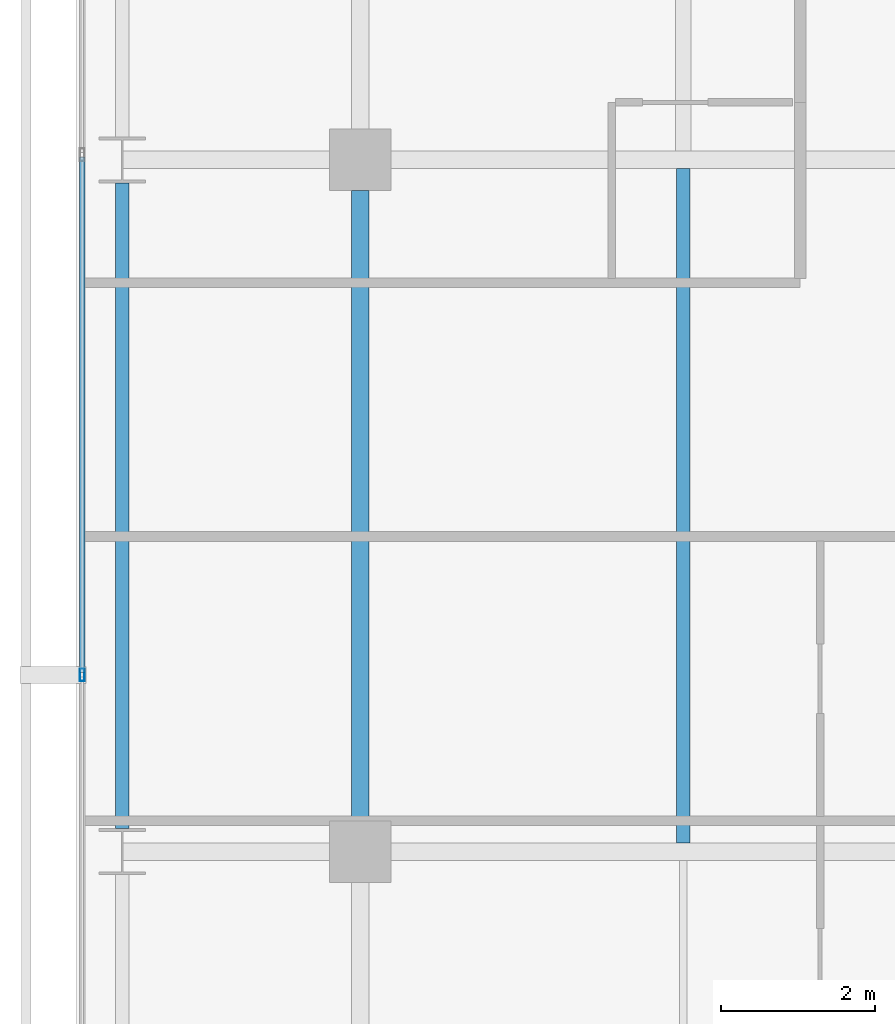
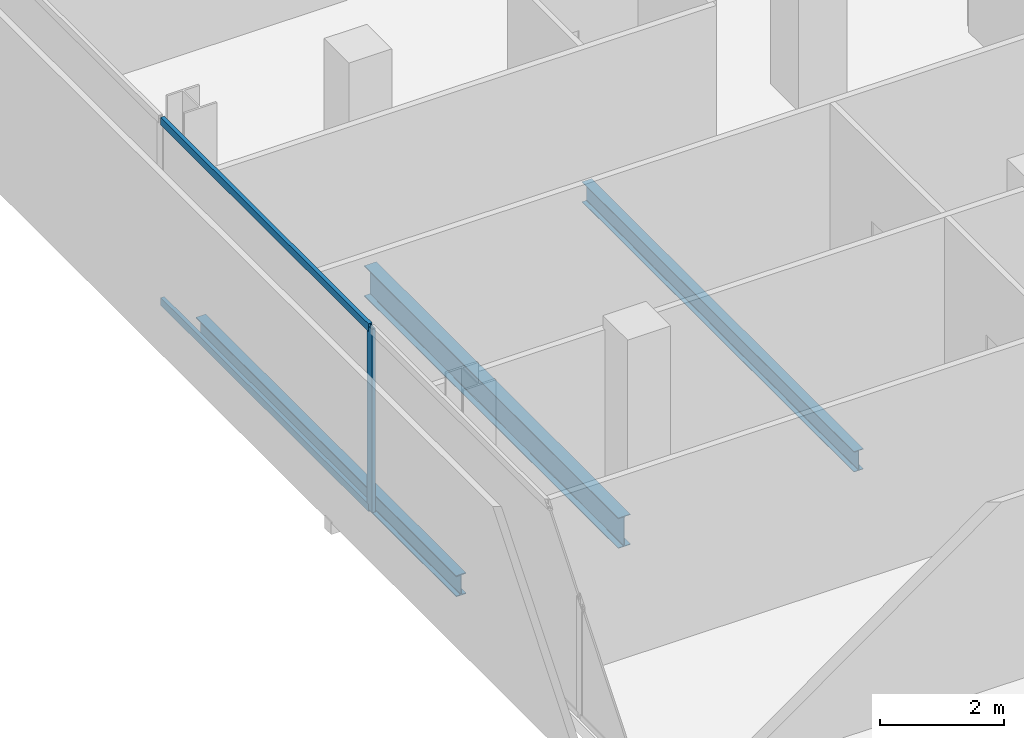
# One storey, part 10 of 34: 3 beams, 3 members, 1 element without a shape of its own.
"""IFC4 building model written with IfcOpenShell, lengths in metres."""

import ifcopenshell
import ifcopenshell.guid

model = None  # the IFC model being written
_history = None  # IfcOwnerHistory: only IFC2X3 demands one
_inside = {}  # id of a spatial element -> (the spatial element, [elements in it])
_under = {}  # id of a project, library or spatial element -> (it, [spatial elements below it])
_declared = {}  # id of a project -> (the project, [libraries it declares])
_typed = {}  # id of a type object -> (the type object, [elements of that type])
_made_of = {}  # id of a material, layer set ... -> (it, [elements and type objects made of it])


def new_model(schema):
    """Start an empty IFC model of exactly this schema.

    Asked for "IFC4X3", IfcOpenShell would pick the latest addendum, in which some entities
    have other attributes; the version numbers below select the first issue.
    IFC2X3 requires an IfcOwnerHistory on every rooted entity: one is made here for all.
    """
    global model, _history
    if schema == "IFC4X3":
        model = ifcopenshell.file(schema_version=(4, 3, 0, 0))
    else:
        model = ifcopenshell.file(schema=schema)
    _inside.clear()
    _under.clear()
    _declared.clear()
    _typed.clear()
    _made_of.clear()
    _history = None
    if model.schema == "IFC2X3":
        org = make("IfcOrganization", Name="unknown")
        user = make(
            "IfcPersonAndOrganization",
            ThePerson=make("IfcPerson", FamilyName="unknown"),
            TheOrganization=org,
        )
        app = make(
            "IfcApplication",
            ApplicationDeveloper=org,
            Version="unknown",
            ApplicationFullName="unknown",
            ApplicationIdentifier="unknown",
        )
        _history = make(
            "IfcOwnerHistory",
            OwningUser=user,
            OwningApplication=app,
            ChangeAction="ADDED",
            CreationDate=0,
        )
    return model


def make(cls, **values):
    """One entity of the class cls with the attributes given. An attribute that is None is left unset."""
    return model.create_entity(
        cls, **{name: value for name, value in values.items() if value is not None}
    )


def rooted(cls, **values):
    """An entity with a GlobalId (a new one), such as an element, a storey or a relation."""
    return make(cls, GlobalId=ifcopenshell.guid.new(), OwnerHistory=_history, **values)


def si_unit(unit_type, name, prefix=None):
    """IfcSIUnit, for example si_unit("LENGTHUNIT", "METRE", prefix="MILLI")."""
    return make("IfcSIUnit", UnitType=unit_type, Prefix=prefix, Name=name)


def assignment(units):
    """IfcUnitAssignment: the units of a project."""
    return None if units is None else make("IfcUnitAssignment", Units=units)


def point(xyz):
    """IfcCartesianPoint."""
    return None if xyz is None else make("IfcCartesianPoint", Coordinates=xyz)


def direction(xyz):
    """IfcDirection."""
    return None if xyz is None else make("IfcDirection", DirectionRatios=xyz)


def frame(location, z_axis=None, x_axis=None):
    """IfcAxis2Placement3D, a coordinate frame: its origin and axes. An axis left out is left unset."""
    return make(
        "IfcAxis2Placement3D",
        Location=point(location),
        Axis=direction(z_axis),
        RefDirection=direction(x_axis),
    )


def frame_2d(location, x_axis=None):
    """IfcAxis2Placement2D, a coordinate frame in the plane: its origin and x axis."""
    return make(
        "IfcAxis2Placement2D", Location=point(location), RefDirection=direction(x_axis)
    )


def origin():
    """The frame at (0, 0, 0) with its axes left unset."""
    return frame((0.0, 0.0, 0.0))


def origin_2d():
    """The frame at (0, 0) in the plane with its x axis left unset."""
    return frame_2d((0.0, 0.0))


def place(relative_to, where):
    """IfcLocalPlacement: puts the frame where relative to a parent placement (None: the world)."""
    return make(
        "IfcLocalPlacement", PlacementRelTo=relative_to, RelativePlacement=where
    )


def context(
    kind, dimensions, precision=None, world=None, true_north=None, identifier=None
):
    """IfcGeometricRepresentationContext, for example the 3D "Model" context."""
    return make(
        "IfcGeometricRepresentationContext",
        ContextIdentifier=identifier,
        ContextType=kind,
        CoordinateSpaceDimension=dimensions,
        Precision=precision,
        WorldCoordinateSystem=world,
        TrueNorth=true_north,
    )


def subcontext(parent, identifier, kind, view, scale=None):
    """IfcGeometricRepresentationSubContext, for example "Body" below "Model"."""
    return make(
        "IfcGeometricRepresentationSubContext",
        ContextIdentifier=identifier,
        ContextType=kind,
        ParentContext=parent,
        TargetScale=scale,
        TargetView=view,
    )


def project(units=None, contexts=None):
    """IfcProject with its units and contexts."""
    return rooted(
        "IfcProject",
        Name="project",
        RepresentationContexts=contexts,
        UnitsInContext=assignment(units),
    )


def spatial(cls, under=None, at=None, **own):
    """A site, building, storey or space (cls), placed at a placement, below another one or the project."""
    s = rooted(cls, ObjectPlacement=at, **own)
    if under is not None:
        _under.setdefault(under.id(), (under, []))[1].append(s)
    return s


def profile(cls, at=None, kind="AREA", **sizes):
    """A parametric profile (cls). Its sizes go by their IFC names, for example OverallWidth=200.0."""
    return make(cls, ProfileType=kind, Position=at, **sizes)


def hollow_rectangle(**sizes):
    """IfcRectangleHollowProfileDef."""
    return profile("IfcRectangleHollowProfileDef", **sizes)


def i_section(**sizes):
    """IfcIShapeProfileDef."""
    return profile("IfcIShapeProfileDef", **sizes)


def extrude(swept, where, along, depth):
    """IfcExtrudedAreaSolid: the profile swept, set in the frame where, extruded along a direction by depth."""
    return make(
        "IfcExtrudedAreaSolid",
        SweptArea=swept,
        Position=where,
        ExtrudedDirection=direction(along),
        Depth=depth,
    )


def shape(context_of_items, identifier, shape_type, items):
    """IfcShapeRepresentation: the items that make up one representation, for example the "Body"."""
    return make(
        "IfcShapeRepresentation",
        ContextOfItems=context_of_items,
        RepresentationIdentifier=identifier,
        RepresentationType=shape_type,
        Items=items,
    )


def material(Name=None, Category=None):
    """IfcMaterial."""
    return make("IfcMaterial", Name=Name, Category=Category)


def layer(
    of_material, thickness, ventilated=None, Name=None, Category=None, Priority=None
):
    """IfcMaterialLayer: one layer of a wall or slab, of a material (None: an air gap)."""
    return make(
        "IfcMaterialLayer",
        Material=of_material,
        LayerThickness=thickness,
        IsVentilated=ventilated,
        Name=Name,
        Category=Category,
        Priority=Priority,
    )


def layer_set(layers, Name=None):
    """IfcMaterialLayerSet."""
    return make("IfcMaterialLayerSet", MaterialLayers=layers, LayerSetName=Name)


def material_profile(
    of_material, cross_section, Name=None, Category=None, Priority=None
):
    """IfcMaterialProfile: a cross section and its material."""
    return make(
        "IfcMaterialProfile",
        Name=Name,
        Material=of_material,
        Profile=cross_section,
        Priority=Priority,
        Category=Category,
    )


def profile_set(profiles, Name=None, composite=None):
    """IfcMaterialProfileSet."""
    return make(
        "IfcMaterialProfileSet",
        Name=Name,
        MaterialProfiles=profiles,
        CompositeProfile=composite,
    )


def made_of(thing, what):
    """Note that an element or type object is made of a material, layer set ...; save() writes the relation."""
    if what is not None:
        _made_of.setdefault(what.id(), (what, []))[1].append(thing)
    return thing


def type_object(cls, material=None, **own):
    """A type object (cls), such as IfcWallType, which elements share."""
    return made_of(rooted(cls, **own), material)


def element(
    cls,
    number,
    at=None,
    inside=None,
    cuts=None,
    type_object=None,
    material=None,
    context=None,
    identifier="Body",
    shape_type=None,
    held_by="IfcProductDefinitionShape",
    body=None,
    shapes=None,
    **own,
):
    """One element of the class cls, such as IfcWall. Its Tag is "e" and its number.

    at: its placement. inside: the storey or other place that contains it. cuts: it is an
    opening in that element (IfcRelVoidsElement). A single representation is given by context,
    identifier, shape_type and body (its items); several are given by shapes. held_by: the class
    of the entity that holds the representations. save() writes the other relations.
    """
    e = rooted(cls, Tag="e%d" % number, ObjectPlacement=at, **own)
    if body is not None:
        shapes = [shape(context, identifier, shape_type, body)]
    if shapes is not None:
        e.Representation = make(held_by, Representations=shapes)
    if inside is not None:
        _inside.setdefault(inside.id(), (inside, []))[1].append(e)
    if cuts is not None:
        rooted(
            "IfcRelVoidsElement", RelatingBuildingElement=cuts, RelatedOpeningElement=e
        )
    if type_object is not None:
        _typed.setdefault(type_object.id(), (type_object, []))[1].append(e)
    return made_of(e, material)


def aggregate(whole, parts):
    """IfcRelAggregates: a whole, such as a stair, and the parts it consists of."""
    return rooted("IfcRelAggregates", RelatingObject=whole, RelatedObjects=parts)


def save(model, path):
    """Write the relations noted so far, then the file.

    IfcRelAggregates (storeys below a building ...), IfcRelContainedInSpatialStructure (elements
    in a storey), IfcRelDefinesByType, IfcRelAssociatesMaterial and IfcRelDeclares: one each for
    every whole, place, type object, material and project.
    """
    for whole, parts in _under.values():
        aggregate(whole, parts)
    for where, things in _inside.values():
        rooted(
            "IfcRelContainedInSpatialStructure",
            RelatedElements=things,
            RelatingStructure=where,
        )
    for kind, things in _typed.values():
        rooted("IfcRelDefinesByType", RelatedObjects=things, RelatingType=kind)
    for what, things in _made_of.values():
        rooted("IfcRelAssociatesMaterial", RelatedObjects=things, RelatingMaterial=what)
    for by, libraries in _declared.values():
        rooted("IfcRelDeclares", RelatingContext=by, RelatedDefinitions=libraries)
    model.write(path)


model = new_model("IFC4")

# Units and contexts
model_context = context("Model", 3, precision=1e-05, world=origin(), true_north=direction((0.0, 1.0)))
body_context = subcontext(model_context, "Body", "Model", "MODEL_VIEW")
ifc_project = project(units=[si_unit("LENGTHUNIT", "METRE"), si_unit("AREAUNIT", "SQUARE_METRE"), si_unit("VOLUMEUNIT", "CUBIC_METRE"), si_unit("PLANEANGLEUNIT", "RADIAN"), si_unit("MASSUNIT", "GRAM", prefix="KILO")], contexts=[model_context])

# Site, building, storey
site_placement = place(None, origin())
site = spatial("IfcSite", under=ifc_project, at=site_placement, CompositionType="ELEMENT")
building_placement = place(site_placement, origin())
building = spatial("IfcBuilding", under=site, at=building_placement, Name="Maruvema Waterfront Hotel and Observation Tower", CompositionType="ELEMENT")
storey_placement = place(building_placement, frame((0.0, 0.0, 192.85009765625)))
storey = spatial("IfcBuildingStorey", under=building, at=storey_placement, Name="L47", CompositionType="ELEMENT", Elevation=192.85009765625)

# Curtain wall, members
ifc_material_1 = material(Name="Anodised bronze aluminium and solar-control low-E IGU", Category="aluminium")
ifc_layer = layer(ifc_material_1, 0.159912109375, Name="Zone 2 Amber Inner Thermal Curtain Wall System CW-03")
ifc_layer_set = layer_set([ifc_layer], Name="Anodised bronze aluminium and solar-control low-E IGU")
curtain_wall_type = type_object("IfcCurtainWallType", Name="Zone 2 Amber Inner Thermal Curtain Wall System CW-03", PredefinedType="USERDEFINED", material=ifc_layer_set)
curtain_wall_placement = place(storey_placement, origin())
curtain_wall = element("IfcCurtainWall", 1, at=curtain_wall_placement, inside=storey, type_object=curtain_wall_type, Name="L47 Curtain Wall CW-L47-W", ObjectType="UNITISED CURTAIN WALL", PredefinedType="USERDEFINED")
ifc_material_2 = material(Name="Anodised architectural bronze aluminium", Category="aluminium")
ifc_material_profile_1 = material_profile(ifc_material_2, hollow_rectangle(XDim=0.070068359375, YDim=0.14990234375, WallThickness=0.00390625, at=origin_2d()), Name="ALU-T70x150")
ifc_profile_set_1 = profile_set([ifc_material_profile_1], Name="Anodised architectural bronze aluminium")
member_type_1 = type_object("IfcMemberType", Name="Curtain Wall Horizontal Transom ALU-T70x150", PredefinedType="USERDEFINED", material=ifc_profile_set_1)
member_1_placement = place(storey_placement, frame((13.179931640625, 36.03662109375, 0.02978515625), z_axis=(0.0, -1.0, 0.0), x_axis=(1.0, 0.0, 0.0)))
member_1 = element("IfcMember", 2, at=member_1_placement, type_object=member_type_1, Name="CW-03 transom 3.1", ObjectType="TRANSOM", PredefinedType="USERDEFINED", context=body_context, shape_type="SweptSolid", body=[
    extrude(hollow_rectangle(XDim=0.070068359375, YDim=0.14990234375, WallThickness=0.00390625, at=origin_2d()), origin(), (0.0, 0.0, 1.0), 6.70654296875),
])
member_2_placement = place(storey_placement, frame((13.179931640625, 36.03662109375, 3.579833984375), z_axis=(0.0, -1.0, 0.0), x_axis=(1.0, 0.0, 0.0)))
member_2 = element("IfcMember", 3, at=member_2_placement, type_object=member_type_1, Name="CW-03 transom 3.2", ObjectType="TRANSOM", PredefinedType="USERDEFINED", context=body_context, shape_type="SweptSolid", body=[
    extrude(hollow_rectangle(XDim=0.070068359375, YDim=0.14990234375, WallThickness=0.00390625, at=origin_2d()), origin(), (0.0, 0.0, 1.0), 6.70654296875),
])
ifc_material_3 = material(Name="Anodised architectural bronze aluminium", Category="aluminium")
ifc_material_profile_2 = material_profile(ifc_material_3, hollow_rectangle(XDim=0.06494140625, YDim=0.1650390625, WallThickness=0.00390625, at=origin_2d()), Name="ALU-M65x165")
ifc_profile_set_2 = profile_set([ifc_material_profile_2], Name="Anodised architectural bronze aluminium")
member_type_2 = type_object("IfcMemberType", Name="Curtain Wall Primary Mullion ALU-M65x165", PredefinedType="MULLION", material=ifc_profile_set_2)
member_3_placement = place(storey_placement, frame((13.179931640625, 29.300048828125, 0.0), z_axis=(0.0, 0.0, 1.0), x_axis=(1.0, 0.0, 0.0)))
member_3 = element("IfcMember", 4, at=member_3_placement, type_object=member_type_2, Name="CW-03 mullion 4", PredefinedType="MULLION", context=body_context, shape_type="SweptSolid", body=[
    extrude(hollow_rectangle(XDim=0.06494140625, YDim=0.1650390625, WallThickness=0.00390625, at=origin_2d()), origin(), (0.0, 0.0, 1.0), 3.60986328125),
])
aggregate(curtain_wall, [member_3, member_1, member_2])

# Beams
ifc_material_4 = material(Name="Steel ASTM A572 Grade 50", Category="steel")
ifc_material_profile_3 = material_profile(ifc_material_4, i_section(OverallWidth=0.180908203125, OverallDepth=0.4169921875, WebThickness=0.010986328125, FlangeThickness=0.018310546875, FilletRadius=0.014892578125, at=origin_2d()), Name="W410x85.0")
ifc_profile_set_3 = profile_set([ifc_material_profile_3], Name="Steel ASTM A572 Grade 50")
beam_type_1 = type_object("IfcBeamType", Name="Perimeter Spandrel Beam W410x85.0", PredefinedType="SPANDREL", material=ifc_profile_set_3)
beam_1_placement = place(storey_placement, frame((13.699951171875, 27.300048828125, -0.448486328125), z_axis=(0.0, 1.0, 0.0), x_axis=(-1.0, 0.0, 0.0)))
element("IfcBeam", 5, at=beam_1_placement, inside=storey, type_object=beam_type_1, Name="L47 Floor Girder NS-03", PredefinedType="SPANDREL", context=body_context, shape_type="SweptSolid", body=[
    extrude(i_section(OverallWidth=0.180908203125, OverallDepth=0.4169921875, WebThickness=0.010986328125, FlangeThickness=0.018310546875, FilletRadius=0.014892578125, at=origin_2d()), origin(), (0.0, 0.0, 1.0), 8.39990234375),
])
ifc_material_5 = material(Name="Steel ASTM A572 Grade 50", Category="steel")
ifc_material_profile_4 = material_profile(ifc_material_5, i_section(OverallWidth=0.22802734375, OverallDepth=0.60302734375, WebThickness=0.010498046875, FlangeThickness=0.014892578125, FilletRadius=0.01806640625, at=origin_2d()), Name="W610x101.0")
ifc_profile_set_4 = profile_set([ifc_material_profile_4], Name="Steel ASTM A572 Grade 50")
beam_type_2 = type_object("IfcBeamType", Name="Primary Floor Girder W610x101.0", PredefinedType="BEAM", material=ifc_profile_set_4)
beam_2_placement = place(storey_placement, frame((16.800048828125, 27.39990234375, -0.54150390625), z_axis=(0.0, 1.0, 0.0), x_axis=(-1.0, 0.0, 0.0)))
element("IfcBeam", 6, at=beam_2_placement, inside=storey, type_object=beam_type_2, Name="L47 Floor Girder NS-07", PredefinedType="BEAM", context=body_context, shape_type="SweptSolid", body=[
    extrude(i_section(OverallWidth=0.22802734375, OverallDepth=0.60302734375, WebThickness=0.010498046875, FlangeThickness=0.014892578125, FilletRadius=0.01806640625, at=origin_2d()), origin(), (0.0, 0.0, 1.0), 8.2001953125),
])
ifc_material_6 = material(Name="Steel ASTM A572 Grade 50", Category="steel")
ifc_material_profile_5 = material_profile(ifc_material_6, i_section(OverallWidth=0.177001953125, OverallDepth=0.403076171875, WebThickness=0.007568359375, FlangeThickness=0.010986328125, FilletRadius=0.014892578125, at=origin_2d()), Name="W410x53.0")
ifc_profile_set_5 = profile_set([ifc_material_profile_5], Name="Steel ASTM A572 Grade 50")
beam_type_3 = type_object("IfcBeamType", Name="Secondary Floor Joist W410x53.0", PredefinedType="JOIST", material=ifc_profile_set_5)
beam_3_placement = place(storey_placement, frame((21.0, 27.114013671875, -0.441650390625), z_axis=(0.0, 1.0, 0.0), x_axis=(-1.0, 0.0, 0.0)))
element("IfcBeam", 7, at=beam_3_placement, inside=storey, type_object=beam_type_3, Name="L47 Secondary Floor Joist JS-03", PredefinedType="JOIST", context=body_context, shape_type="SweptSolid", body=[
    extrude(i_section(OverallWidth=0.177001953125, OverallDepth=0.403076171875, WebThickness=0.007568359375, FlangeThickness=0.010986328125, FilletRadius=0.014892578125, at=origin_2d()), origin(), (0.0, 0.0, 1.0), 8.77197265625),
])

save(model, "model.ifc")
